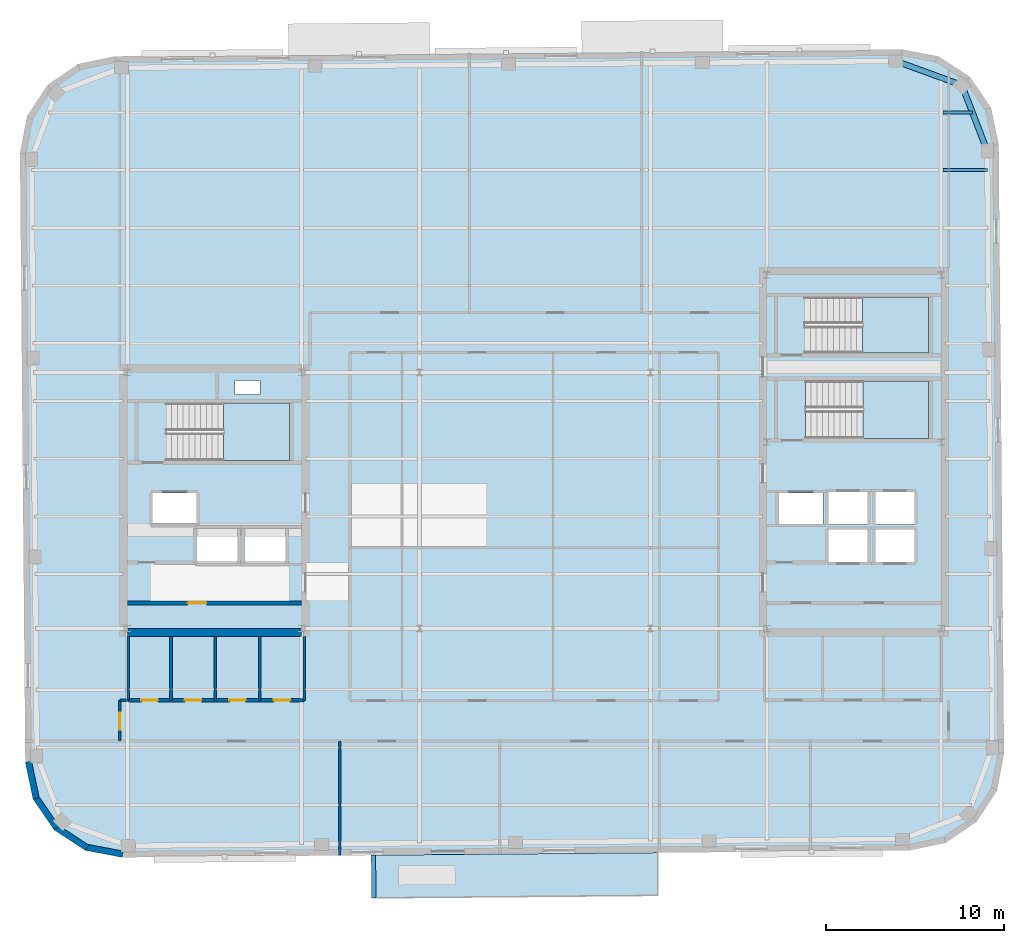
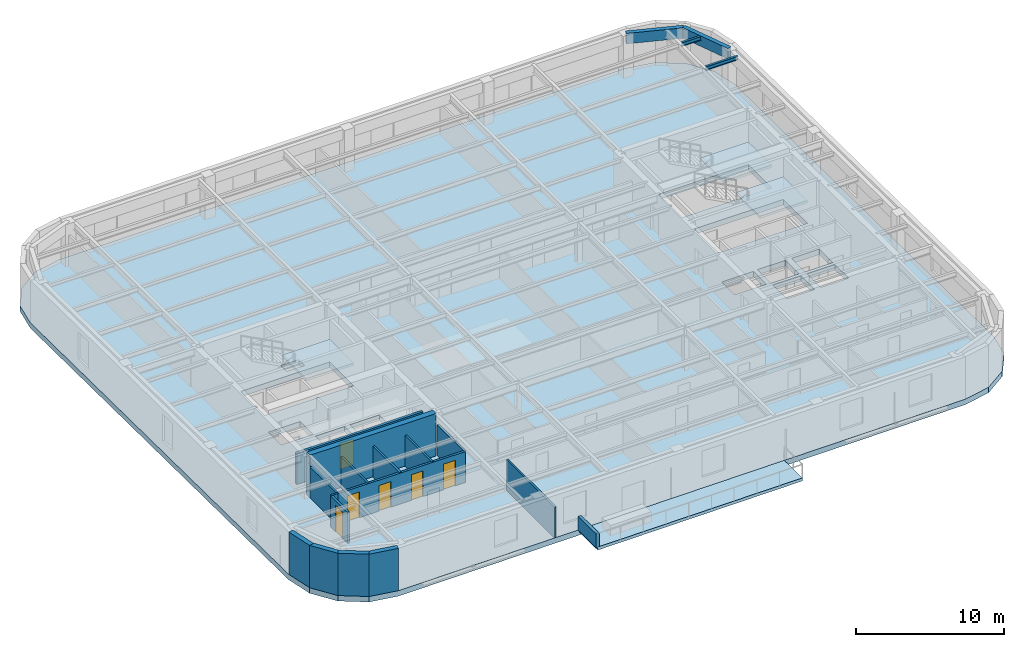
# One storey, part 6 of 14: 16 walls, 6 doors, 5 slabs, 4 beams, 6 openings, 3 elements without a shape of their own.
"""IFC4 building model written with IfcOpenShell, lengths in metres."""

from ifc_helpers import new_model, si_unit, direction, frame, frame_2d, origin, origin_2d, place, context, subcontext, project, spatial, polyline, rectangle, hollow_rectangle, i_section, outline, extrude, material, layer, layer_set, material_profile, profile_set, type_object, element, fill, aggregate, save


model = new_model("IFC4")

# Units and contexts
model_context = context("Model", 3, precision=1e-05, world=origin(), true_north=direction((0.0, 1.0)))
body_context = subcontext(model_context, "Body", "Model", "MODEL_VIEW")
ifc_project = project(units=[si_unit("LENGTHUNIT", "METRE"), si_unit("AREAUNIT", "SQUARE_METRE"), si_unit("VOLUMEUNIT", "CUBIC_METRE"), si_unit("PLANEANGLEUNIT", "RADIAN"), si_unit("MASSUNIT", "GRAM", prefix="KILO")], contexts=[model_context])

# Site, building, storey
site_placement = place(None, origin())
site = spatial("IfcSite", under=ifc_project, at=site_placement, CompositionType="ELEMENT")
building_placement = place(site_placement, origin())
building = spatial("IfcBuilding", under=site, at=building_placement, Name="Kolvaren Arena Tower", CompositionType="ELEMENT")
storey_placement = place(building_placement, frame((0.0, 0.0, 274.89990234375)))
storey = spatial("IfcBuildingStorey", under=building, at=storey_placement, Name="L67", CompositionType="ELEMENT", Elevation=274.89990234375)

# Beams
ifc_material_1 = material(Name="Steel CSA G40.21 350W", Category="steel")
ifc_material_profile_1 = material_profile(ifc_material_1, i_section(OverallWidth=0.1669921875, OverallDepth=0.31689453125, WebThickness=0.007568359375, FlangeThickness=0.01318359375, FilletRadius=0.010009765625, at=origin_2d()), Name="W310x52")
ifc_profile_set_1 = profile_set([ifc_material_profile_1], Name="Steel CSA G40.21 350W")
beam_type_1 = type_object("IfcBeamType", Name="JOIST-02", PredefinedType="JOIST", material=ifc_profile_set_1)
beam_1_placement = place(storey_placement, frame((60.464111328125, 45.25, 3.321533203125), z_axis=(1.0, 0.0, 0.0), x_axis=(0.0, 1.0, 0.0)))
element("IfcBeam", 1, at=beam_1_placement, inside=storey, type_object=beam_type_1, Name="Composite Floor Joist (L67)", PredefinedType="JOIST", context=body_context, shape_type="SweptSolid", body=[
    extrude(i_section(OverallWidth=0.1669921875, OverallDepth=0.31689453125, WebThickness=0.007568359375, FlangeThickness=0.01318359375, FilletRadius=0.010009765625, at=origin_2d()), origin(), (0.0, 0.0, 1.0), 2.497802734375),
])
beam_2_placement = place(storey_placement, frame((60.464111328125, 48.5, 3.321533203125), z_axis=(1.0, 0.0, 0.0), x_axis=(0.0, 1.0, 0.0)))
element("IfcBeam", 2, at=beam_2_placement, inside=storey, type_object=beam_type_1, Name="Composite Floor Joist (L67)", PredefinedType="JOIST", context=body_context, shape_type="SweptSolid", body=[
    extrude(i_section(OverallWidth=0.1669921875, OverallDepth=0.31689453125, WebThickness=0.007568359375, FlangeThickness=0.01318359375, FilletRadius=0.010009765625, at=origin_2d()), origin(), (0.0, 0.0, 1.0), 1.654296875),
])
ifc_material_2 = material(Name="Steel CSA G40.21 350WT", Category="steel")
ifc_material_profile_2 = material_profile(ifc_material_2, hollow_rectangle(XDim=0.320068359375, YDim=0.860107421875, WallThickness=0.01806640625, at=origin_2d()), Name="HSS 860x320x18")
ifc_profile_set_2 = profile_set([ifc_material_profile_2], Name="Steel CSA G40.21 350WT")
beam_type_2 = type_object("IfcBeamType", Name="SPAND-02", PredefinedType="SPANDREL", material=ifc_profile_set_2)
for number, where, z_axis, x_axis, name in (
    (3, (62.952392578125, 46.333984375, 3.050048828125), (-0.359383792094, 0.933189846698, 0.0), (-0.933189846698, -0.359383792094, 0.0), "Perimeter Spandrel Beam (L67)"),
    (4, (61.52880859375, 50.030517578125, 3.050048828125), (-0.939313819882, 0.343059102458, 0.0), (-0.343059102458, -0.939313819882, 0.0), "Perimeter Spandrel Beam (L67)"),
):
    element("IfcBeam", number, at=place(storey_placement, frame(where, z_axis=z_axis, x_axis=x_axis)), inside=storey, type_object=beam_type_2, Name=name, PredefinedType="SPANDREL", context=body_context, shape_type="SweptSolid", body=[
        extrude(hollow_rectangle(XDim=0.320068359375, YDim=0.860107421875, WallThickness=0.01806640625, at=origin_2d()), origin(), (0.0, 0.0, 1.0), 3.961181640625),
    ])

# Stair, slab
ifc_material_3 = material(Name="Concrete 45 MPa", Category="concrete")
stair_type_1 = type_object("IfcStairType", Name="STAIR-CORE-165", PredefinedType="HALF_TURN_STAIR", material=ifc_material_3)
stair_1_placement = place(storey_placement, origin())
stair_1 = element("IfcStair", 5, at=stair_1_placement, inside=storey, type_object=stair_type_1, Name="L67 ST-W1", PredefinedType="HALF_TURN_STAIR")
ifc_layer_1 = layer(ifc_material_3, 0.199951171875)
ifc_layer_set_1 = layer_set([ifc_layer_1], Name="Concrete 45 MPa")
slab_type_1 = type_object("IfcSlabType", Name="SLAB-LAND", PredefinedType="LANDING", material=ifc_layer_set_1)
slab_1_placement = place(storey_placement, frame((0.0, 0.0, 1.675048828125)))
slab_1 = element("IfcSlab", 6, at=slab_1_placement, type_object=slab_type_1, Name="ST-W1 landing 1", PredefinedType="LANDING", context=body_context, shape_type="SweptSolid", body=[
    extrude(outline(polyline([(19.9599609375, 28.89990234375), (23.659912109375, 28.89990234375), (23.659912109375, 32.1298828125), (19.9599609375, 32.1298828125), (19.9599609375, 28.89990234375)])), origin(), (0.0, 0.0, 1.0), 0.199951171875),
])
aggregate(stair_1, [slab_1])

stair_2_placement = place(storey_placement, origin())
stair_2 = element("IfcStair", 7, at=stair_2_placement, inside=storey, type_object=stair_type_1, Name="L67 ST-E1", PredefinedType="HALF_TURN_STAIR")
slab_2_placement = place(storey_placement, frame((0.0, 0.0, 1.675048828125)))
slab_2 = element("IfcSlab", 8, at=slab_2_placement, type_object=slab_type_1, Name="ST-E1 landing 1", PredefinedType="LANDING", context=body_context, shape_type="SweptSolid", body=[
    extrude(outline(polyline([(55.9599609375, 30.14990234375), (59.659912109375, 30.14990234375), (59.659912109375, 33.3798828125), (55.9599609375, 33.3798828125), (55.9599609375, 30.14990234375)])), origin(), (0.0, 0.0, 1.0), 0.199951171875),
])
aggregate(stair_2, [slab_2])

stair_type_2 = type_object("IfcStairType", Name="STAIR-CORE-150", PredefinedType="HALF_TURN_STAIR", material=ifc_material_3)
stair_3_placement = place(storey_placement, origin())
stair_3 = element("IfcStair", 9, at=stair_3_placement, inside=storey, type_object=stair_type_2, Name="L67 ST-E2", PredefinedType="HALF_TURN_STAIR")
slab_3_placement = place(storey_placement, frame((0.0, 0.0, 1.675048828125)))
slab_3 = element("IfcSlab", 10, at=slab_3_placement, type_object=slab_type_1, Name="ST-E2 landing 1", PredefinedType="LANDING", context=body_context, shape_type="SweptSolid", body=[
    extrude(outline(polyline([(55.919921875, 34.949951171875), (59.659912109375, 34.949951171875), (59.659912109375, 38.10009765625), (55.919921875, 38.10009765625), (55.919921875, 34.949951171875)])), origin(), (0.0, 0.0, 1.0), 0.199951171875),
])
aggregate(stair_3, [slab_3])

# Slabs
ifc_layer_2 = layer(ifc_material_3, 0.2548828125)
ifc_layer_set_2 = layer_set([ifc_layer_2], Name="Concrete 45 MPa")
slab_type_2 = type_object("IfcSlabType", Name="SLAB-TERR", PredefinedType="FLOOR", material=ifc_layer_set_2)
slab_4_placement = place(storey_placement, frame((0.0, 0.0, -0.25)))
element("IfcSlab", 11, at=slab_4_placement, inside=storey, type_object=slab_type_2, Name="L67 Planted Setback Roof Terrace Slab", PredefinedType="FLOOR", context=body_context, shape_type="SweptSolid", body=[
    extrude(outline(polyline([(28.41796875, 4.281005859375), (44.41748046875, 4.4208984375), (44.396484375, 6.82080078125), (28.397216796875, 6.680908203125), (28.41796875, 4.281005859375)])), origin(), (0.0, 0.0, 1.0), 0.25),
])
ifc_material_4 = material(Name="Concrete 60 MPa", Category="concrete")
ifc_layer_3 = layer(ifc_material_4, 0.449951171875)
ifc_layer_set_3 = layer_set([ifc_layer_3], Name="Concrete 60 MPa")
slab_type_3 = type_object("IfcSlabType", Name="SLAB-TRANS", PredefinedType="FLOOR", material=ifc_layer_set_3)
slab_5_placement = place(storey_placement, frame((0.0, 0.0, -0.449951171875)))
element("IfcSlab", 12, at=slab_5_placement, inside=storey, type_object=slab_type_3, Name="L67 Primary Structural Slab", PredefinedType="FLOOR", context=body_context, shape_type="SweptSolid", body=[
    extrude(outline(polyline([(58.5458984375, 6.944091796875), (60.60888671875, 7.373291015625), (62.350341796875, 8.55908203125), (63.505615234375, 10.321044921875), (63.898681640625, 12.39111328125), (63.599365234375, 46.689697265625), (63.170166015625, 48.752685546875), (61.984375, 50.494140625), (60.222412109375, 51.6494140625), (58.15234375, 52.04248046875), (13.85400390625, 51.65576171875), (11.791259765625, 51.226806640625), (10.049560546875, 50.041015625), (8.894287109375, 48.27880859375), (8.50146484375, 46.208984375), (8.80078125, 11.91015625), (9.229736328125, 9.847412109375), (10.41552734375, 8.105712890625), (12.177490234375, 6.95068359375), (14.24755859375, 6.5576171875), (58.5458984375, 6.944091796875)]), holes=[polyline([(20.739990234375, 23.135009765625), (18.4599609375, 23.135009765625), (18.4599609375, 25.06494140625), (20.739990234375, 25.06494140625), (20.739990234375, 23.135009765625)]), polyline([(21.159912109375, 23.135009765625), (21.159912109375, 25.06494140625), (23.43994140625, 25.06494140625), (23.43994140625, 23.135009765625), (21.159912109375, 23.135009765625)]), polyline([(56.2099609375, 23.18505859375), (54.030029296875, 23.18505859375), (54.030029296875, 25.014892578125), (56.2099609375, 25.014892578125), (56.2099609375, 23.18505859375)]), polyline([(56.669921875, 23.18505859375), (56.669921875, 25.014892578125), (58.85009765625, 25.014892578125), (58.85009765625, 23.18505859375), (56.669921875, 23.18505859375)]), polyline([(54.030029296875, 25.284912109375), (54.030029296875, 27.114990234375), (56.2099609375, 27.114990234375), (56.2099609375, 25.284912109375), (54.030029296875, 25.284912109375)]), polyline([(58.85009765625, 25.284912109375), (56.669921875, 25.284912109375), (56.669921875, 27.114990234375), (58.85009765625, 27.114990234375), (58.85009765625, 25.284912109375)]), polyline([(15.9599609375, 25.3349609375), (15.9599609375, 27.06494140625), (18.43994140625, 27.06494140625), (18.43994140625, 25.3349609375), (15.9599609375, 25.3349609375)]), polyline([(53.699951171875, 25.3349609375), (51.219970703125, 25.3349609375), (51.219970703125, 27.06494140625), (53.699951171875, 27.06494140625), (53.699951171875, 25.3349609375)]), polyline([(16.735107421875, 28.89990234375), (16.735107421875, 32.1298828125), (23.659912109375, 32.1298828125), (23.659912109375, 28.89990234375), (16.735107421875, 28.89990234375)]), polyline([(52.735107421875, 30.14990234375), (52.735107421875, 33.3798828125), (59.659912109375, 33.3798828125), (59.659912109375, 30.14990234375), (52.735107421875, 30.14990234375)]), polyline([(20.60009765625, 32.6201171875), (20.60009765625, 33.39990234375), (22.0, 33.39990234375), (22.0, 32.6201171875), (20.60009765625, 32.6201171875)]), polyline([(52.695068359375, 34.949951171875), (52.695068359375, 38.10009765625), (59.659912109375, 38.10009765625), (59.659912109375, 34.949951171875), (52.695068359375, 34.949951171875)])]), origin(), (0.0, 0.0, 1.0), 0.449951171875),
])

# Wall, opening, door
ifc_material_5 = material(Name="Gypsum board acoustic assembly", Category="gypsum")
ifc_layer_4 = layer(ifc_material_5, 0.159912109375)
ifc_layer_set_4 = layer_set([ifc_layer_4], Name="Gypsum board acoustic assembly")
wall_type_1 = type_object("IfcWallType", Name="CORR-160", PredefinedType="PARTITIONING", material=ifc_layer_set_4)
wall_1_placement = place(storey_placement, frame((14.1201171875, 13.10009765625, 0.0), z_axis=(0.0, 0.0, 1.0), x_axis=(0.0, 1.0, 0.0)))
wall_1 = element("IfcWall", 13, at=wall_1_placement, inside=storey, type_object=wall_type_1, Name="Interior Partition Wall (L67)", PredefinedType="PARTITIONING", context=body_context, shape_type="SweptSolid", body=[
    extrude(rectangle(XDim=2.2998046875, YDim=0.159912109375, at=frame_2d((1.14990234375, 0.0))), origin(), (0.0, 0.0, 1.0), 2.5400390625),
])
opening_1_placement = place(wall_1_placement, frame((0.64990234375, 0.0, 0.0)))
opening_1 = element("IfcOpeningElement", 14, at=opening_1_placement, cuts=wall_1, Name="Opening D05", PredefinedType="OPENING", context=body_context, shape_type="SweptSolid", body=[
    extrude(rectangle(XDim=0.949951171875, YDim=2.14990234375, at=frame_2d((0.47509765625, 1.074951171875))), frame((0.0, 0.08984375, 0.0), z_axis=(0.0, -1.0, 0.0), x_axis=(1.0, 0.0, 0.0)), (0.0, 0.0, 1.0), 0.179931640625),
])
ifc_material_6 = material(Name="Solid-core oak acoustic office door", Category="wood")
door_type_1 = type_object("IfcDoorType", Name="DOOR-OF-095", OperationType="NOTDEFINED", PredefinedType="DOOR", material=ifc_material_6)
door_1_placement = place(opening_1_placement, origin())
door_1 = element("IfcDoor", 15, at=door_1_placement, inside=storey, type_object=door_type_1, Name="West Wing Office Door (L67)", OperationType="SINGLE_SWING_LEFT", OverallHeight=2.14990234375, OverallWidth=0.949951171875, PredefinedType="DOOR", context=body_context, shape_type="SweptSolid", body=[
    extrude(rectangle(XDim=0.949951171875, YDim=2.14990234375, at=frame_2d((0.47509765625, 1.074951171875))), frame((0.0, 0.02490234375, 0.0), z_axis=(0.0, -1.0, 0.0), x_axis=(1.0, 0.0, 0.0)), (0.0, 0.0, 1.0), 0.050048828125),
])
fill(opening_1, door_1)

# Walls
wall_2_placement = place(storey_placement, frame((14.1201171875, 15.39990234375, 0.0), z_axis=(0.0, 0.0, 1.0), x_axis=(1.0, 0.0, 0.0)))
element("IfcWall", 16, at=wall_2_placement, inside=storey, type_object=wall_type_1, Name="Interior Partition Wall (L67)", PredefinedType="PARTITIONING", context=body_context, shape_type="SweptSolid", body=[
    extrude(rectangle(XDim=0.5, YDim=0.159912109375, at=frame_2d((0.25, 0.0))), origin(), (0.0, 0.0, 1.0), 2.5400390625),
])
ifc_material_7 = material(Name="Concrete 55 MPa", Category="concrete")
ifc_layer_5 = layer(ifc_material_7, 0.449951171875)
ifc_layer_set_5 = layer_set([ifc_layer_5], Name="Concrete 55 MPa")
wall_type_2 = type_object("IfcWallType", Name="CWALL-450", PredefinedType="SHEAR", material=ifc_layer_set_5)
wall_3_placement = place(storey_placement, frame((14.550048828125, 19.22509765625, -0.449951171875), z_axis=(0.0, 0.0, 1.0), x_axis=(1.0, 0.0, 0.0)))
element("IfcWall", 17, at=wall_3_placement, inside=storey, type_object=wall_type_2, Name="Core Shear Wall WC-SOUTH (L67)", PredefinedType="SHEAR", context=body_context, shape_type="SweptSolid", body=[
    extrude(rectangle(XDim=9.800048828125, YDim=0.449951171875, at=frame_2d((4.89990234375, 0.0))), origin(), (0.0, 0.0, 1.0), 3.929931640625),
])
ifc_material_8 = material(Name="Precast concrete C50/60", Category="concrete")
ifc_layer_6 = layer(ifc_material_8, 0.360107421875)
ifc_layer_set_6 = layer_set([ifc_layer_6], Name="Precast concrete C50/60")
wall_type_3 = type_object("IfcWallType", Name="EXT-PIER2", PredefinedType="SOLIDWALL", material=ifc_layer_set_6)
wall_4_placement = place(storey_placement, frame((9.406005859375, 9.884033203125, 0.0), z_axis=(0.0, 0.0, 1.0), x_axis=(-0.203685893209, 0.979036289883, 0.0)))
element("IfcWall", 18, at=wall_4_placement, inside=storey, type_object=wall_type_3, Name="Exterior Precast Masonry-Frame Wall (L67)", PredefinedType="SOLIDWALL", context=body_context, shape_type="SweptSolid", body=[
    extrude(rectangle(XDim=2.107177734375, YDim=0.360107421875, at=frame_2d((1.0537109375, 0.0))), origin(), (0.0, 0.0, 1.0), 3.47998046875),
])
for number, where, z_axis, x_axis, name in (
    (19, (10.564453125, 8.20703125, 0.0), (0.0, 0.0, 1.0), (-0.56277581689, 0.826609569219, 0.0), "Exterior Precast Masonry-Frame Wall (L67)"),
    (20, (12.2763671875, 7.10107421875, 0.0), (0.0, 0.0, 1.0), (-0.836268756678, 0.548319766745, 0.0), "Exterior Precast Masonry-Frame Wall (L67)"),
):
    element("IfcWall", number, at=place(storey_placement, frame(where, z_axis=z_axis, x_axis=x_axis)), inside=storey, type_object=wall_type_3, Name=name, PredefinedType="SOLIDWALL", context=body_context, shape_type="SweptSolid", body=[
        extrude(rectangle(XDim=2.10693359375, YDim=0.360107421875, at=frame_2d((1.053466796875, 0.0))), origin(), (0.0, 0.0, 1.0), 3.47998046875),
    ])
wall_5_placement = place(storey_placement, frame((14.28125, 6.734375, 0.0), z_axis=(0.0, 0.0, 1.0), x_axis=(-0.982445905584, 0.186547695246, 0.0)))
element("IfcWall", 21, at=wall_5_placement, inside=storey, type_object=wall_type_3, Name="Exterior Precast Masonry-Frame Wall (L67)", PredefinedType="SOLIDWALL", context=body_context, shape_type="SweptSolid", body=[
    extrude(rectangle(XDim=2.107177734375, YDim=0.360107421875, at=frame_2d((1.0537109375, 0.0))), origin(), (0.0, 0.0, 1.0), 3.47998046875),
])

# Wall, opening, door
ifc_material_9 = material(Name="Concrete 40 MPa", Category="concrete")
ifc_layer_7 = layer(ifc_material_9, 0.199951171875)
ifc_layer_set_7 = layer_set([ifc_layer_7], Name="Concrete 40 MPa")
wall_type_4 = type_object("IfcWallType", Name="LOBBY-200", PredefinedType="SOLIDWALL", material=ifc_layer_set_7)
wall_6_placement = place(storey_placement, frame((14.550048828125, 20.8798828125, 0.0), z_axis=(0.0, 0.0, 1.0), x_axis=(1.0, 0.0, 0.0)))
wall_6 = element("IfcWall", 22, at=wall_6_placement, inside=storey, type_object=wall_type_4, Name="Core Shaft Wall (L67)", PredefinedType="SOLIDWALL", context=body_context, shape_type="SweptSolid", body=[
    extrude(rectangle(XDim=9.800048828125, YDim=0.199951171875, at=frame_2d((4.89990234375, 0.0))), origin(), (0.0, 0.0, 1.0), 2.5400390625),
])
opening_2_placement = place(wall_6_placement, frame((3.39990234375, 0.0, 0.0)))
opening_2 = element("IfcOpeningElement", 23, at=opening_2_placement, cuts=wall_6, Name="Opening D04", PredefinedType="OPENING", context=body_context, shape_type="SweptSolid", body=[
    extrude(rectangle(XDim=1.050048828125, YDim=2.14990234375, at=frame_2d((0.52490234375, 1.074951171875))), frame((0.0, 0.10986328125, 0.0), z_axis=(0.0, -1.0, 0.0), x_axis=(1.0, 0.0, 0.0)), (0.0, 0.0, 1.0), 0.219970703125),
])
ifc_material_10 = material(Name="Fire-rated steel lobby door", Category="steel")
door_type_2 = type_object("IfcDoorType", Name="DOOR-FF-105", OperationType="NOTDEFINED", PredefinedType="DOOR", material=ifc_material_10)
door_2_placement = place(opening_2_placement, origin())
door_2 = element("IfcDoor", 24, at=door_2_placement, inside=storey, type_object=door_type_2, Name="West IT Room Fire Door (L67)", OperationType="SINGLE_SWING_LEFT", OverallHeight=2.14990234375, OverallWidth=1.050048828125, PredefinedType="DOOR", context=body_context, shape_type="SweptSolid", body=[
    extrude(rectangle(XDim=1.050048828125, YDim=2.14990234375, at=frame_2d((0.52490234375, 1.074951171875))), frame((0.0, 0.02490234375, 0.0), z_axis=(0.0, -1.0, 0.0), x_axis=(1.0, 0.0, 0.0)), (0.0, 0.0, 1.0), 0.050048828125),
])
fill(opening_2, door_2)

# Walls
ifc_material_11 = material(Name="Precast concrete C45/55", Category="concrete")
ifc_layer_8 = layer(ifc_material_11, 0.25)
ifc_layer_set_8 = layer_set([ifc_layer_8], Name="Precast concrete C45/55")
wall_type_5 = type_object("IfcWallType", Name="PARAP-250", PredefinedType="PARAPET", material=ifc_layer_set_8)
wall_7_placement = place(storey_placement, frame((28.397216796875, 6.680908203125, 0.0), z_axis=(0.0, 0.0, 1.0), x_axis=(0.00864667573, -0.999962616801, 0.0)))
element("IfcWall", 25, at=wall_7_placement, inside=storey, type_object=wall_type_5, Name="Terrace Side Parapet Wall (L67)", PredefinedType="PARAPET", context=body_context, shape_type="SweptSolid", body=[
    extrude(rectangle(XDim=2.39990234375, YDim=0.25, at=frame_2d((1.199951171875, 0.0))), origin(), (0.0, 0.0, 1.0), 1.1201171875),
])
ifc_material_12 = material(Name="Gypsum board partition assembly", Category="gypsum")
ifc_layer_9 = layer(ifc_material_12, 0.135009765625)
ifc_layer_set_9 = layer_set([ifc_layer_9], Name="Gypsum board partition assembly")
wall_type_6 = type_object("IfcWallType", Name="PART-135", PredefinedType="PARTITIONING", material=ifc_layer_set_9)
wall_8_placement = place(storey_placement, frame((26.5, 6.66455078125, 0.0), z_axis=(0.0, 0.0, 1.0), x_axis=(0.0, 1.0, 0.0)))
element("IfcWall", 26, at=wall_8_placement, inside=storey, type_object=wall_type_6, Name="Interior Partition Wall (L67)", PredefinedType="PARTITIONING", context=body_context, shape_type="SweptSolid", body=[
    extrude(rectangle(XDim=6.435546875, YDim=0.135009765625, at=frame_2d((3.2177734375, 0.0))), origin(), (0.0, 0.0, 1.0), 2.5400390625),
])
ifc_material_13 = material(Name="Moisture-resistant gypsum assembly", Category="gypsum")
ifc_layer_10 = layer(ifc_material_13, 0.14990234375)
ifc_layer_set_10 = layer_set([ifc_layer_10], Name="Moisture-resistant gypsum assembly")
wall_type_7 = type_object("IfcWallType", Name="WETW-150", PredefinedType="PARTITIONING", material=ifc_layer_set_10)
for number, where, z_axis, x_axis, name in (
    (27, (17.0, 15.39990234375, 0.0), (0.0, 0.0, 1.0), (0.0, 1.0, 0.0), "Interior Partition Wall (L67)"),
    (28, (19.5, 15.39990234375, 0.0), (0.0, 0.0, 1.0), (0.0, 1.0, 0.0), "Interior Partition Wall (L67)"),
    (29, (22.0, 15.39990234375, 0.0), (0.0, 0.0, 1.0), (0.0, 1.0, 0.0), "Interior Partition Wall (L67)"),
):
    element("IfcWall", number, at=place(storey_placement, frame(where, z_axis=z_axis, x_axis=x_axis)), inside=storey, type_object=wall_type_7, Name=name, PredefinedType="PARTITIONING", context=body_context, shape_type="SweptSolid", body=[
        extrude(rectangle(XDim=3.580078125, YDim=0.14990234375, at=frame_2d((1.7900390625, 0.0))), origin(), (0.0, 0.0, 1.0), 2.5400390625),
    ])

# Wall, openings, doors
wall_9_placement = place(storey_placement, frame((14.60009765625, 15.39990234375, 0.0), z_axis=(0.0, 0.0, 1.0), x_axis=(1.0, 0.0, 0.0)))
wall_9 = element("IfcWall", 30, at=wall_9_placement, inside=storey, type_object=wall_type_7, Name="Interior Partition Wall (L67)", PredefinedType="PARTITIONING", context=body_context, shape_type="SweptSolid", body=[
    extrude(rectangle(XDim=9.89990234375, YDim=0.179931640625, at=frame_2d((4.949951171875, 0.0))), origin(), (0.0, 0.0, 1.0), 2.5400390625),
])
opening_3_placement = place(wall_9_placement, frame((0.739990234375, 0.0, 0.0)))
opening_3 = element("IfcOpeningElement", 31, at=opening_3_placement, cuts=wall_9, Name="Opening D07", PredefinedType="OPENING", context=body_context, shape_type="SweptSolid", body=[
    extrude(rectangle(XDim=0.919921875, YDim=2.10009765625, at=frame_2d((0.4599609375, 1.050048828125))), frame((0.0, 0.099853515625, 0.0), z_axis=(0.0, -1.0, 0.0), x_axis=(1.0, 0.0, 0.0)), (0.0, 0.0, 1.0), 0.199951171875),
])
opening_4_placement = place(wall_9_placement, frame((3.18994140625, 0.0, 0.0)))
opening_4 = element("IfcOpeningElement", 32, at=opening_4_placement, cuts=wall_9, Name="Opening D07", PredefinedType="OPENING", context=body_context, shape_type="SweptSolid", body=[
    extrude(rectangle(XDim=0.919921875, YDim=2.10009765625, at=frame_2d((0.4599609375, 1.050048828125))), frame((0.0, 0.099853515625, 0.0), z_axis=(0.0, -1.0, 0.0), x_axis=(1.0, 0.0, 0.0)), (0.0, 0.0, 1.0), 0.199951171875),
])
opening_5_placement = place(wall_9_placement, frame((5.68994140625, 0.0, 0.0)))
opening_5 = element("IfcOpeningElement", 33, at=opening_5_placement, cuts=wall_9, Name="Opening D07", PredefinedType="OPENING", context=body_context, shape_type="SweptSolid", body=[
    extrude(rectangle(XDim=0.919921875, YDim=2.10009765625, at=frame_2d((0.4599609375, 1.050048828125))), frame((0.0, 0.099853515625, 0.0), z_axis=(0.0, -1.0, 0.0), x_axis=(1.0, 0.0, 0.0)), (0.0, 0.0, 1.0), 0.199951171875),
])
opening_6_placement = place(wall_9_placement, frame((8.18994140625, 0.0, 0.0)))
opening_6 = element("IfcOpeningElement", 34, at=opening_6_placement, cuts=wall_9, Name="Opening D07", PredefinedType="OPENING", context=body_context, shape_type="SweptSolid", body=[
    extrude(rectangle(XDim=0.919921875, YDim=2.10009765625, at=frame_2d((0.4599609375, 1.050048828125))), frame((0.0, 0.099853515625, 0.0), z_axis=(0.0, -1.0, 0.0), x_axis=(1.0, 0.0, 0.0)), (0.0, 0.0, 1.0), 0.199951171875),
])
ifc_material_14 = material(Name="Laminate universal washroom door", Category="wood")
door_type_3 = type_object("IfcDoorType", Name="DOOR-WC-092", OperationType="NOTDEFINED", PredefinedType="DOOR", material=ifc_material_14)
door_3_placement = place(opening_3_placement, origin())
door_3 = element("IfcDoor", 35, at=door_3_placement, inside=storey, type_object=door_type_3, Name="Cleaner and Janitor Store Door (L67)", OperationType="SINGLE_SWING_LEFT", OverallHeight=2.10009765625, OverallWidth=0.919921875, PredefinedType="DOOR", context=body_context, shape_type="SweptSolid", body=[
    extrude(rectangle(XDim=0.919921875, YDim=2.10009765625, at=frame_2d((0.4599609375, 1.050048828125))), frame((0.0, 0.02490234375, 0.0), z_axis=(0.0, -1.0, 0.0), x_axis=(1.0, 0.0, 0.0)), (0.0, 0.0, 1.0), 0.050048828125),
])
fill(opening_3, door_3)
door_4_placement = place(opening_4_placement, origin())
door_4 = element("IfcDoor", 36, at=door_4_placement, inside=storey, type_object=door_type_3, Name="Universal Barrier-Free Washroom Door (L67)", OperationType="SINGLE_SWING_RIGHT", OverallHeight=2.10009765625, OverallWidth=0.919921875, PredefinedType="DOOR", context=body_context, shape_type="SweptSolid", body=[
    extrude(rectangle(XDim=0.919921875, YDim=2.10009765625, at=frame_2d((0.4599609375, 1.050048828125))), frame((0.0, 0.02490234375, 0.0), z_axis=(0.0, -1.0, 0.0), x_axis=(1.0, 0.0, 0.0)), (0.0, 0.0, 1.0), 0.050048828125),
])
fill(opening_4, door_4)
door_5_placement = place(opening_5_placement, origin())
door_5 = element("IfcDoor", 37, at=door_5_placement, inside=storey, type_object=door_type_3, Name="Women Restroom Door (L67)", OperationType="SINGLE_SWING_LEFT", OverallHeight=2.10009765625, OverallWidth=0.919921875, PredefinedType="DOOR", context=body_context, shape_type="SweptSolid", body=[
    extrude(rectangle(XDim=0.919921875, YDim=2.10009765625, at=frame_2d((0.4599609375, 1.050048828125))), frame((0.0, 0.02490234375, 0.0), z_axis=(0.0, -1.0, 0.0), x_axis=(1.0, 0.0, 0.0)), (0.0, 0.0, 1.0), 0.050048828125),
])
fill(opening_5, door_5)
door_6_placement = place(opening_6_placement, origin())
door_6 = element("IfcDoor", 38, at=door_6_placement, inside=storey, type_object=door_type_3, Name="Men Restroom Door (L67)", OperationType="SINGLE_SWING_RIGHT", OverallHeight=2.10009765625, OverallWidth=0.919921875, PredefinedType="DOOR", context=body_context, shape_type="SweptSolid", body=[
    extrude(rectangle(XDim=0.919921875, YDim=2.10009765625, at=frame_2d((0.4599609375, 1.050048828125))), frame((0.0, 0.02490234375, 0.0), z_axis=(0.0, -1.0, 0.0), x_axis=(1.0, 0.0, 0.0)), (0.0, 0.0, 1.0), 0.050048828125),
])
fill(opening_6, door_6)

# Walls
for number, where, z_axis, x_axis, name in (
    (39, (14.60009765625, 15.39990234375, 0.0), (0.0, 0.0, 1.0), (0.0, 1.0, 0.0), "Interior Partition Wall (L67)"),
    (40, (24.5, 15.39990234375, 0.0), (0.0, 0.0, 1.0), (0.0, 1.0, 0.0), "Interior Partition Wall (L67)"),
):
    element("IfcWall", number, at=place(storey_placement, frame(where, z_axis=z_axis, x_axis=x_axis)), inside=storey, type_object=wall_type_7, Name=name, PredefinedType="PARTITIONING", context=body_context, shape_type="SweptSolid", body=[
        extrude(rectangle(XDim=3.580078125, YDim=0.14990234375, at=frame_2d((1.7900390625, 0.0))), origin(), (0.0, 0.0, 1.0), 2.5400390625),
    ])

save(model, "model.ifc")
